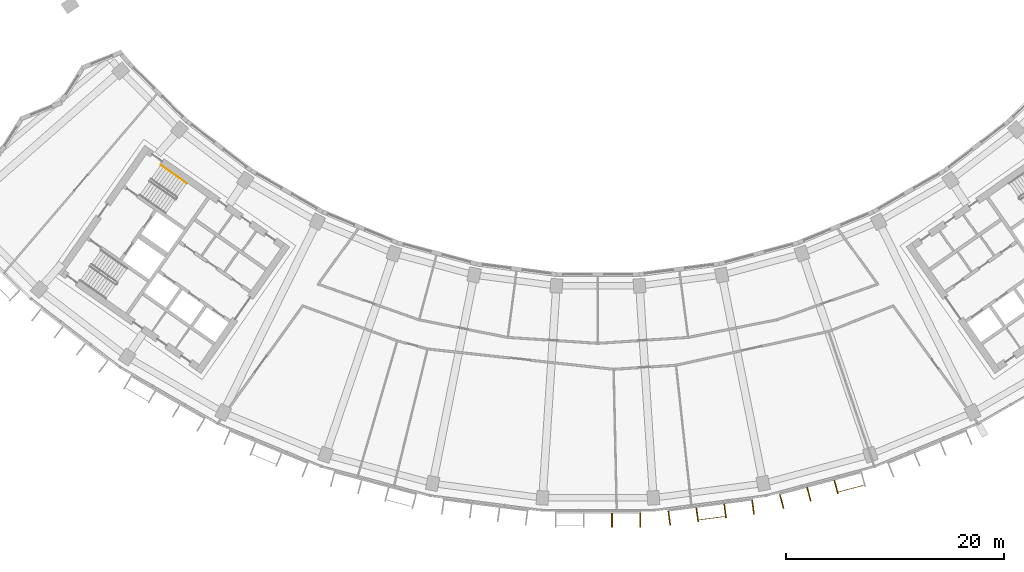
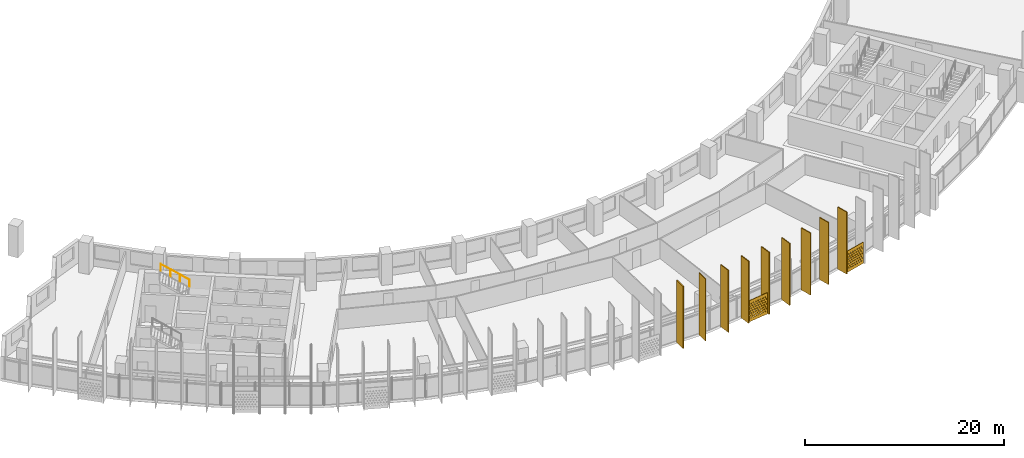
# One storey, part 24 of 26: 11 shading devices, 1 railing.
"""IFC4 building model written with IfcOpenShell, lengths in metres."""

from ifc_helpers import new_model, si_unit, direction, frame, origin, origin_2d, place, context, subcontext, project, spatial, polyline, rectangle, circle, outline, extrude, material, material_profile, profile_set, type_object, element, save


model = new_model("IFC4")

# Units and contexts
model_context = context("Model", 3, precision=1e-05, world=origin(), true_north=direction((0.0, 1.0)))
body_context = subcontext(model_context, "Body", "Model", "MODEL_VIEW")
ifc_project = project(units=[si_unit("LENGTHUNIT", "METRE"), si_unit("AREAUNIT", "SQUARE_METRE"), si_unit("VOLUMEUNIT", "CUBIC_METRE"), si_unit("PLANEANGLEUNIT", "RADIAN"), si_unit("MASSUNIT", "GRAM", prefix="KILO")], contexts=[model_context])

# Site, building, storey
site_placement = place(None, origin())
site = spatial("IfcSite", under=ifc_project, at=site_placement, CompositionType="ELEMENT")
building_placement = place(site_placement, origin())
building = spatial("IfcBuilding", under=site, at=building_placement, Name="Qamariyya Broadcast Tower", CompositionType="ELEMENT")
storey_placement = place(building_placement, frame((0.0, 0.0, 156.89990234375)))
storey = spatial("IfcBuildingStorey", under=building, at=storey_placement, Name="L36", CompositionType="ELEMENT", Elevation=156.89990234375)

# Shading devices
ifc_material_1 = material(Name="Perforated glazed terracotta", Category="masonry")
ifc_material_profile_1 = material_profile(ifc_material_1, outline(polyline([(-1.199951171875, -1.300048828125), (1.199951171875, -1.300048828125), (1.199951171875, 1.300048828125), (-1.199951171875, 1.300048828125), (-1.199951171875, -1.300048828125)]), holes=[polyline([(-0.81494140625, -0.86669921875), (-0.89990234375, -0.78173828125), (-0.985107421875, -0.86669921875), (-0.89990234375, -0.95166015625), (-0.81494140625, -0.86669921875)]), polyline([(-0.514892578125, -0.86669921875), (-0.60009765625, -0.78173828125), (-0.68505859375, -0.86669921875), (-0.60009765625, -0.95166015625), (-0.514892578125, -0.86669921875)]), polyline([(-0.215087890625, -0.86669921875), (-0.300048828125, -0.78173828125), (-0.385009765625, -0.86669921875), (-0.300048828125, -0.95166015625), (-0.215087890625, -0.86669921875)]), polyline([(0.0849609375, -0.86669921875), (0.0, -0.78173828125), (-0.0849609375, -0.86669921875), (0.0, -0.95166015625), (0.0849609375, -0.86669921875)]), polyline([(0.385009765625, -0.86669921875), (0.300048828125, -0.78173828125), (0.215087890625, -0.86669921875), (0.300048828125, -0.95166015625), (0.385009765625, -0.86669921875)]), polyline([(0.68505859375, -0.86669921875), (0.60009765625, -0.78173828125), (0.514892578125, -0.86669921875), (0.60009765625, -0.95166015625), (0.68505859375, -0.86669921875)]), polyline([(0.985107421875, -0.86669921875), (0.89990234375, -0.78173828125), (0.81494140625, -0.86669921875), (0.89990234375, -0.95166015625), (0.985107421875, -0.86669921875)]), polyline([(-0.965087890625, -0.577880859375), (-1.050048828125, -0.49267578125), (-1.135009765625, -0.577880859375), (-1.050048828125, -0.662841796875), (-0.965087890625, -0.577880859375)]), polyline([(-0.6650390625, -0.577880859375), (-0.75, -0.49267578125), (-0.8349609375, -0.577880859375), (-0.75, -0.662841796875), (-0.6650390625, -0.577880859375)]), polyline([(-0.364990234375, -0.577880859375), (-0.449951171875, -0.49267578125), (-0.534912109375, -0.577880859375), (-0.449951171875, -0.662841796875), (-0.364990234375, -0.577880859375)]), polyline([(-0.06494140625, -0.577880859375), (-0.14990234375, -0.49267578125), (-0.235107421875, -0.577880859375), (-0.14990234375, -0.662841796875), (-0.06494140625, -0.577880859375)]), polyline([(0.235107421875, -0.577880859375), (0.14990234375, -0.49267578125), (0.06494140625, -0.577880859375), (0.14990234375, -0.662841796875), (0.235107421875, -0.577880859375)]), polyline([(0.534912109375, -0.577880859375), (0.449951171875, -0.49267578125), (0.364990234375, -0.577880859375), (0.449951171875, -0.662841796875), (0.534912109375, -0.577880859375)]), polyline([(0.8349609375, -0.577880859375), (0.75, -0.49267578125), (0.6650390625, -0.577880859375), (0.75, -0.662841796875), (0.8349609375, -0.577880859375)]), polyline([(1.135009765625, -0.577880859375), (1.050048828125, -0.49267578125), (0.965087890625, -0.577880859375), (1.050048828125, -0.662841796875), (1.135009765625, -0.577880859375)]), polyline([(-0.81494140625, -0.288818359375), (-0.89990234375, -0.203857421875), (-0.985107421875, -0.288818359375), (-0.89990234375, -0.373779296875), (-0.81494140625, -0.288818359375)]), polyline([(-0.514892578125, -0.288818359375), (-0.60009765625, -0.203857421875), (-0.68505859375, -0.288818359375), (-0.60009765625, -0.373779296875), (-0.514892578125, -0.288818359375)]), polyline([(-0.215087890625, -0.288818359375), (-0.300048828125, -0.203857421875), (-0.385009765625, -0.288818359375), (-0.300048828125, -0.373779296875), (-0.215087890625, -0.288818359375)]), polyline([(0.0849609375, -0.288818359375), (0.0, -0.203857421875), (-0.0849609375, -0.288818359375), (0.0, -0.373779296875), (0.0849609375, -0.288818359375)]), polyline([(0.385009765625, -0.288818359375), (0.300048828125, -0.203857421875), (0.215087890625, -0.288818359375), (0.300048828125, -0.373779296875), (0.385009765625, -0.288818359375)]), polyline([(0.68505859375, -0.288818359375), (0.60009765625, -0.203857421875), (0.514892578125, -0.288818359375), (0.60009765625, -0.373779296875), (0.68505859375, -0.288818359375)]), polyline([(0.985107421875, -0.288818359375), (0.89990234375, -0.203857421875), (0.81494140625, -0.288818359375), (0.89990234375, -0.373779296875), (0.985107421875, -0.288818359375)]), polyline([(-0.965087890625, 0.0), (-1.050048828125, 0.0849609375), (-1.135009765625, 0.0), (-1.050048828125, -0.0849609375), (-0.965087890625, 0.0)]), polyline([(-0.6650390625, 0.0), (-0.75, 0.0849609375), (-0.8349609375, 0.0), (-0.75, -0.0849609375), (-0.6650390625, 0.0)]), polyline([(-0.364990234375, 0.0), (-0.449951171875, 0.0849609375), (-0.534912109375, 0.0), (-0.449951171875, -0.0849609375), (-0.364990234375, 0.0)]), polyline([(-0.06494140625, 0.0), (-0.14990234375, 0.0849609375), (-0.235107421875, 0.0), (-0.14990234375, -0.0849609375), (-0.06494140625, 0.0)]), polyline([(0.235107421875, 0.0), (0.14990234375, 0.0849609375), (0.06494140625, 0.0), (0.14990234375, -0.0849609375), (0.235107421875, 0.0)]), polyline([(0.534912109375, 0.0), (0.449951171875, 0.0849609375), (0.364990234375, 0.0), (0.449951171875, -0.0849609375), (0.534912109375, 0.0)]), polyline([(0.8349609375, 0.0), (0.75, 0.0849609375), (0.6650390625, 0.0), (0.75, -0.0849609375), (0.8349609375, 0.0)]), polyline([(1.135009765625, 0.0), (1.050048828125, 0.0849609375), (0.965087890625, 0.0), (1.050048828125, -0.0849609375), (1.135009765625, 0.0)]), polyline([(-0.81494140625, 0.288818359375), (-0.89990234375, 0.373779296875), (-0.985107421875, 0.288818359375), (-0.89990234375, 0.203857421875), (-0.81494140625, 0.288818359375)]), polyline([(-0.514892578125, 0.288818359375), (-0.60009765625, 0.373779296875), (-0.68505859375, 0.288818359375), (-0.60009765625, 0.203857421875), (-0.514892578125, 0.288818359375)]), polyline([(-0.215087890625, 0.288818359375), (-0.300048828125, 0.373779296875), (-0.385009765625, 0.288818359375), (-0.300048828125, 0.203857421875), (-0.215087890625, 0.288818359375)]), polyline([(0.0849609375, 0.288818359375), (0.0, 0.373779296875), (-0.0849609375, 0.288818359375), (0.0, 0.203857421875), (0.0849609375, 0.288818359375)]), polyline([(0.385009765625, 0.288818359375), (0.300048828125, 0.373779296875), (0.215087890625, 0.288818359375), (0.300048828125, 0.203857421875), (0.385009765625, 0.288818359375)]), polyline([(0.68505859375, 0.288818359375), (0.60009765625, 0.373779296875), (0.514892578125, 0.288818359375), (0.60009765625, 0.203857421875), (0.68505859375, 0.288818359375)]), polyline([(0.985107421875, 0.288818359375), (0.89990234375, 0.373779296875), (0.81494140625, 0.288818359375), (0.89990234375, 0.203857421875), (0.985107421875, 0.288818359375)]), polyline([(-0.965087890625, 0.577880859375), (-1.050048828125, 0.662841796875), (-1.135009765625, 0.577880859375), (-1.050048828125, 0.49267578125), (-0.965087890625, 0.577880859375)]), polyline([(-0.6650390625, 0.577880859375), (-0.75, 0.662841796875), (-0.8349609375, 0.577880859375), (-0.75, 0.49267578125), (-0.6650390625, 0.577880859375)]), polyline([(-0.364990234375, 0.577880859375), (-0.449951171875, 0.662841796875), (-0.534912109375, 0.577880859375), (-0.449951171875, 0.49267578125), (-0.364990234375, 0.577880859375)]), polyline([(-0.06494140625, 0.577880859375), (-0.14990234375, 0.662841796875), (-0.235107421875, 0.577880859375), (-0.14990234375, 0.49267578125), (-0.06494140625, 0.577880859375)]), polyline([(0.235107421875, 0.577880859375), (0.14990234375, 0.662841796875), (0.06494140625, 0.577880859375), (0.14990234375, 0.49267578125), (0.235107421875, 0.577880859375)]), polyline([(0.534912109375, 0.577880859375), (0.449951171875, 0.662841796875), (0.364990234375, 0.577880859375), (0.449951171875, 0.49267578125), (0.534912109375, 0.577880859375)]), polyline([(0.8349609375, 0.577880859375), (0.75, 0.662841796875), (0.6650390625, 0.577880859375), (0.75, 0.49267578125), (0.8349609375, 0.577880859375)]), polyline([(1.135009765625, 0.577880859375), (1.050048828125, 0.662841796875), (0.965087890625, 0.577880859375), (1.050048828125, 0.49267578125), (1.135009765625, 0.577880859375)]), polyline([(-0.81494140625, 0.86669921875), (-0.89990234375, 0.95166015625), (-0.985107421875, 0.86669921875), (-0.89990234375, 0.78173828125), (-0.81494140625, 0.86669921875)]), polyline([(-0.514892578125, 0.86669921875), (-0.60009765625, 0.95166015625), (-0.68505859375, 0.86669921875), (-0.60009765625, 0.78173828125), (-0.514892578125, 0.86669921875)]), polyline([(-0.215087890625, 0.86669921875), (-0.300048828125, 0.95166015625), (-0.385009765625, 0.86669921875), (-0.300048828125, 0.78173828125), (-0.215087890625, 0.86669921875)]), polyline([(0.0849609375, 0.86669921875), (0.0, 0.95166015625), (-0.0849609375, 0.86669921875), (0.0, 0.78173828125), (0.0849609375, 0.86669921875)]), polyline([(0.385009765625, 0.86669921875), (0.300048828125, 0.95166015625), (0.215087890625, 0.86669921875), (0.300048828125, 0.78173828125), (0.385009765625, 0.86669921875)]), polyline([(0.68505859375, 0.86669921875), (0.60009765625, 0.95166015625), (0.514892578125, 0.86669921875), (0.60009765625, 0.78173828125), (0.68505859375, 0.86669921875)]), polyline([(0.985107421875, 0.86669921875), (0.89990234375, 0.95166015625), (0.81494140625, 0.86669921875), (0.89990234375, 0.78173828125), (0.985107421875, 0.86669921875)])]))
ifc_profile_set_1 = profile_set([ifc_material_profile_1], Name="Perforated glazed terracotta")
shading_device_type_1 = type_object("IfcShadingDeviceType", Name="Perforated terracotta screen 2400 x 2600", PredefinedType="USERDEFINED", material=ifc_profile_set_1)
shading_device_1_placement = place(storey_placement, frame((10.413818359375, -79.421142578125, 1.35009765625), z_axis=(0.13056005306, -0.991440402921, 0.0), x_axis=(0.991440402921, 0.13056005306, 0.0)))
element("IfcShadingDevice", 1, at=shading_device_1_placement, inside=storey, type_object=shading_device_type_1, Name="e-scr-L36-08-1", ObjectType="SCREEN", PredefinedType="USERDEFINED", context=body_context, shape_type="SweptSolid", body=[
    extrude(outline(polyline([(-1.199951171875, -1.300048828125), (1.199951171875, -1.300048828125), (1.199951171875, 1.300048828125), (-1.199951171875, 1.300048828125), (-1.199951171875, -1.300048828125)]), holes=[polyline([(-0.81494140625, -0.86669921875), (-0.89990234375, -0.78173828125), (-0.985107421875, -0.86669921875), (-0.89990234375, -0.95166015625), (-0.81494140625, -0.86669921875)]), polyline([(-0.514892578125, -0.86669921875), (-0.60009765625, -0.78173828125), (-0.68505859375, -0.86669921875), (-0.60009765625, -0.95166015625), (-0.514892578125, -0.86669921875)]), polyline([(-0.215087890625, -0.86669921875), (-0.300048828125, -0.78173828125), (-0.385009765625, -0.86669921875), (-0.300048828125, -0.95166015625), (-0.215087890625, -0.86669921875)]), polyline([(0.0849609375, -0.86669921875), (0.0, -0.78173828125), (-0.0849609375, -0.86669921875), (0.0, -0.95166015625), (0.0849609375, -0.86669921875)]), polyline([(0.385009765625, -0.86669921875), (0.300048828125, -0.78173828125), (0.215087890625, -0.86669921875), (0.300048828125, -0.95166015625), (0.385009765625, -0.86669921875)]), polyline([(0.68505859375, -0.86669921875), (0.60009765625, -0.78173828125), (0.514892578125, -0.86669921875), (0.60009765625, -0.95166015625), (0.68505859375, -0.86669921875)]), polyline([(0.985107421875, -0.86669921875), (0.89990234375, -0.78173828125), (0.81494140625, -0.86669921875), (0.89990234375, -0.95166015625), (0.985107421875, -0.86669921875)]), polyline([(-0.965087890625, -0.577880859375), (-1.050048828125, -0.49267578125), (-1.135009765625, -0.577880859375), (-1.050048828125, -0.662841796875), (-0.965087890625, -0.577880859375)]), polyline([(-0.6650390625, -0.577880859375), (-0.75, -0.49267578125), (-0.8349609375, -0.577880859375), (-0.75, -0.662841796875), (-0.6650390625, -0.577880859375)]), polyline([(-0.364990234375, -0.577880859375), (-0.449951171875, -0.49267578125), (-0.534912109375, -0.577880859375), (-0.449951171875, -0.662841796875), (-0.364990234375, -0.577880859375)]), polyline([(-0.06494140625, -0.577880859375), (-0.14990234375, -0.49267578125), (-0.235107421875, -0.577880859375), (-0.14990234375, -0.662841796875), (-0.06494140625, -0.577880859375)]), polyline([(0.235107421875, -0.577880859375), (0.14990234375, -0.49267578125), (0.06494140625, -0.577880859375), (0.14990234375, -0.662841796875), (0.235107421875, -0.577880859375)]), polyline([(0.534912109375, -0.577880859375), (0.449951171875, -0.49267578125), (0.364990234375, -0.577880859375), (0.449951171875, -0.662841796875), (0.534912109375, -0.577880859375)]), polyline([(0.8349609375, -0.577880859375), (0.75, -0.49267578125), (0.6650390625, -0.577880859375), (0.75, -0.662841796875), (0.8349609375, -0.577880859375)]), polyline([(1.135009765625, -0.577880859375), (1.050048828125, -0.49267578125), (0.965087890625, -0.577880859375), (1.050048828125, -0.662841796875), (1.135009765625, -0.577880859375)]), polyline([(-0.81494140625, -0.288818359375), (-0.89990234375, -0.203857421875), (-0.985107421875, -0.288818359375), (-0.89990234375, -0.373779296875), (-0.81494140625, -0.288818359375)]), polyline([(-0.514892578125, -0.288818359375), (-0.60009765625, -0.203857421875), (-0.68505859375, -0.288818359375), (-0.60009765625, -0.373779296875), (-0.514892578125, -0.288818359375)]), polyline([(-0.215087890625, -0.288818359375), (-0.300048828125, -0.203857421875), (-0.385009765625, -0.288818359375), (-0.300048828125, -0.373779296875), (-0.215087890625, -0.288818359375)]), polyline([(0.0849609375, -0.288818359375), (0.0, -0.203857421875), (-0.0849609375, -0.288818359375), (0.0, -0.373779296875), (0.0849609375, -0.288818359375)]), polyline([(0.385009765625, -0.288818359375), (0.300048828125, -0.203857421875), (0.215087890625, -0.288818359375), (0.300048828125, -0.373779296875), (0.385009765625, -0.288818359375)]), polyline([(0.68505859375, -0.288818359375), (0.60009765625, -0.203857421875), (0.514892578125, -0.288818359375), (0.60009765625, -0.373779296875), (0.68505859375, -0.288818359375)]), polyline([(0.985107421875, -0.288818359375), (0.89990234375, -0.203857421875), (0.81494140625, -0.288818359375), (0.89990234375, -0.373779296875), (0.985107421875, -0.288818359375)]), polyline([(-0.965087890625, 0.0), (-1.050048828125, 0.0849609375), (-1.135009765625, 0.0), (-1.050048828125, -0.0849609375), (-0.965087890625, 0.0)]), polyline([(-0.6650390625, 0.0), (-0.75, 0.0849609375), (-0.8349609375, 0.0), (-0.75, -0.0849609375), (-0.6650390625, 0.0)]), polyline([(-0.364990234375, 0.0), (-0.449951171875, 0.0849609375), (-0.534912109375, 0.0), (-0.449951171875, -0.0849609375), (-0.364990234375, 0.0)]), polyline([(-0.06494140625, 0.0), (-0.14990234375, 0.0849609375), (-0.235107421875, 0.0), (-0.14990234375, -0.0849609375), (-0.06494140625, 0.0)]), polyline([(0.235107421875, 0.0), (0.14990234375, 0.0849609375), (0.06494140625, 0.0), (0.14990234375, -0.0849609375), (0.235107421875, 0.0)]), polyline([(0.534912109375, 0.0), (0.449951171875, 0.0849609375), (0.364990234375, 0.0), (0.449951171875, -0.0849609375), (0.534912109375, 0.0)]), polyline([(0.8349609375, 0.0), (0.75, 0.0849609375), (0.6650390625, 0.0), (0.75, -0.0849609375), (0.8349609375, 0.0)]), polyline([(1.135009765625, 0.0), (1.050048828125, 0.0849609375), (0.965087890625, 0.0), (1.050048828125, -0.0849609375), (1.135009765625, 0.0)]), polyline([(-0.81494140625, 0.288818359375), (-0.89990234375, 0.373779296875), (-0.985107421875, 0.288818359375), (-0.89990234375, 0.203857421875), (-0.81494140625, 0.288818359375)]), polyline([(-0.514892578125, 0.288818359375), (-0.60009765625, 0.373779296875), (-0.68505859375, 0.288818359375), (-0.60009765625, 0.203857421875), (-0.514892578125, 0.288818359375)]), polyline([(-0.215087890625, 0.288818359375), (-0.300048828125, 0.373779296875), (-0.385009765625, 0.288818359375), (-0.300048828125, 0.203857421875), (-0.215087890625, 0.288818359375)]), polyline([(0.0849609375, 0.288818359375), (0.0, 0.373779296875), (-0.0849609375, 0.288818359375), (0.0, 0.203857421875), (0.0849609375, 0.288818359375)]), polyline([(0.385009765625, 0.288818359375), (0.300048828125, 0.373779296875), (0.215087890625, 0.288818359375), (0.300048828125, 0.203857421875), (0.385009765625, 0.288818359375)]), polyline([(0.68505859375, 0.288818359375), (0.60009765625, 0.373779296875), (0.514892578125, 0.288818359375), (0.60009765625, 0.203857421875), (0.68505859375, 0.288818359375)]), polyline([(0.985107421875, 0.288818359375), (0.89990234375, 0.373779296875), (0.81494140625, 0.288818359375), (0.89990234375, 0.203857421875), (0.985107421875, 0.288818359375)]), polyline([(-0.965087890625, 0.577880859375), (-1.050048828125, 0.662841796875), (-1.135009765625, 0.577880859375), (-1.050048828125, 0.49267578125), (-0.965087890625, 0.577880859375)]), polyline([(-0.6650390625, 0.577880859375), (-0.75, 0.662841796875), (-0.8349609375, 0.577880859375), (-0.75, 0.49267578125), (-0.6650390625, 0.577880859375)]), polyline([(-0.364990234375, 0.577880859375), (-0.449951171875, 0.662841796875), (-0.534912109375, 0.577880859375), (-0.449951171875, 0.49267578125), (-0.364990234375, 0.577880859375)]), polyline([(-0.06494140625, 0.577880859375), (-0.14990234375, 0.662841796875), (-0.235107421875, 0.577880859375), (-0.14990234375, 0.49267578125), (-0.06494140625, 0.577880859375)]), polyline([(0.235107421875, 0.577880859375), (0.14990234375, 0.662841796875), (0.06494140625, 0.577880859375), (0.14990234375, 0.49267578125), (0.235107421875, 0.577880859375)]), polyline([(0.534912109375, 0.577880859375), (0.449951171875, 0.662841796875), (0.364990234375, 0.577880859375), (0.449951171875, 0.49267578125), (0.534912109375, 0.577880859375)]), polyline([(0.8349609375, 0.577880859375), (0.75, 0.662841796875), (0.6650390625, 0.577880859375), (0.75, 0.49267578125), (0.8349609375, 0.577880859375)]), polyline([(1.135009765625, 0.577880859375), (1.050048828125, 0.662841796875), (0.965087890625, 0.577880859375), (1.050048828125, 0.49267578125), (1.135009765625, 0.577880859375)]), polyline([(-0.81494140625, 0.86669921875), (-0.89990234375, 0.95166015625), (-0.985107421875, 0.86669921875), (-0.89990234375, 0.78173828125), (-0.81494140625, 0.86669921875)]), polyline([(-0.514892578125, 0.86669921875), (-0.60009765625, 0.95166015625), (-0.68505859375, 0.86669921875), (-0.60009765625, 0.78173828125), (-0.514892578125, 0.86669921875)]), polyline([(-0.215087890625, 0.86669921875), (-0.300048828125, 0.95166015625), (-0.385009765625, 0.86669921875), (-0.300048828125, 0.78173828125), (-0.215087890625, 0.86669921875)]), polyline([(0.0849609375, 0.86669921875), (0.0, 0.95166015625), (-0.0849609375, 0.86669921875), (0.0, 0.78173828125), (0.0849609375, 0.86669921875)]), polyline([(0.385009765625, 0.86669921875), (0.300048828125, 0.95166015625), (0.215087890625, 0.86669921875), (0.300048828125, 0.78173828125), (0.385009765625, 0.86669921875)]), polyline([(0.68505859375, 0.86669921875), (0.60009765625, 0.95166015625), (0.514892578125, 0.86669921875), (0.60009765625, 0.78173828125), (0.68505859375, 0.86669921875)]), polyline([(0.985107421875, 0.86669921875), (0.89990234375, 0.95166015625), (0.81494140625, 0.86669921875), (0.89990234375, 0.78173828125), (0.985107421875, 0.86669921875)])]), origin(), (0.0, 0.0, 1.0), 0.059814453125),
])
shading_device_2_placement = place(storey_placement, frame((23.186767578125, -76.713623046875, 1.35009765625), z_axis=(0.256901156343, -0.966437683387, 0.0), x_axis=(0.966437683387, 0.256901156343, 0.0)))
element("IfcShadingDevice", 2, at=shading_device_2_placement, inside=storey, type_object=shading_device_type_1, Name="e-scr-L36-09-2", ObjectType="SCREEN", PredefinedType="USERDEFINED", context=body_context, shape_type="SweptSolid", body=[
    extrude(outline(polyline([(-1.199951171875, -1.300048828125), (1.199951171875, -1.300048828125), (1.199951171875, 1.300048828125), (-1.199951171875, 1.300048828125), (-1.199951171875, -1.300048828125)]), holes=[polyline([(-0.81494140625, -0.86669921875), (-0.89990234375, -0.78173828125), (-0.985107421875, -0.86669921875), (-0.89990234375, -0.95166015625), (-0.81494140625, -0.86669921875)]), polyline([(-0.514892578125, -0.86669921875), (-0.60009765625, -0.78173828125), (-0.68505859375, -0.86669921875), (-0.60009765625, -0.95166015625), (-0.514892578125, -0.86669921875)]), polyline([(-0.215087890625, -0.86669921875), (-0.300048828125, -0.78173828125), (-0.385009765625, -0.86669921875), (-0.300048828125, -0.95166015625), (-0.215087890625, -0.86669921875)]), polyline([(0.0849609375, -0.86669921875), (0.0, -0.78173828125), (-0.0849609375, -0.86669921875), (0.0, -0.95166015625), (0.0849609375, -0.86669921875)]), polyline([(0.385009765625, -0.86669921875), (0.300048828125, -0.78173828125), (0.215087890625, -0.86669921875), (0.300048828125, -0.95166015625), (0.385009765625, -0.86669921875)]), polyline([(0.68505859375, -0.86669921875), (0.60009765625, -0.78173828125), (0.514892578125, -0.86669921875), (0.60009765625, -0.95166015625), (0.68505859375, -0.86669921875)]), polyline([(0.985107421875, -0.86669921875), (0.89990234375, -0.78173828125), (0.81494140625, -0.86669921875), (0.89990234375, -0.95166015625), (0.985107421875, -0.86669921875)]), polyline([(-0.965087890625, -0.577880859375), (-1.050048828125, -0.49267578125), (-1.135009765625, -0.577880859375), (-1.050048828125, -0.662841796875), (-0.965087890625, -0.577880859375)]), polyline([(-0.6650390625, -0.577880859375), (-0.75, -0.49267578125), (-0.8349609375, -0.577880859375), (-0.75, -0.662841796875), (-0.6650390625, -0.577880859375)]), polyline([(-0.364990234375, -0.577880859375), (-0.449951171875, -0.49267578125), (-0.534912109375, -0.577880859375), (-0.449951171875, -0.662841796875), (-0.364990234375, -0.577880859375)]), polyline([(-0.06494140625, -0.577880859375), (-0.14990234375, -0.49267578125), (-0.235107421875, -0.577880859375), (-0.14990234375, -0.662841796875), (-0.06494140625, -0.577880859375)]), polyline([(0.235107421875, -0.577880859375), (0.14990234375, -0.49267578125), (0.06494140625, -0.577880859375), (0.14990234375, -0.662841796875), (0.235107421875, -0.577880859375)]), polyline([(0.534912109375, -0.577880859375), (0.449951171875, -0.49267578125), (0.364990234375, -0.577880859375), (0.449951171875, -0.662841796875), (0.534912109375, -0.577880859375)]), polyline([(0.8349609375, -0.577880859375), (0.75, -0.49267578125), (0.6650390625, -0.577880859375), (0.75, -0.662841796875), (0.8349609375, -0.577880859375)]), polyline([(1.135009765625, -0.577880859375), (1.050048828125, -0.49267578125), (0.965087890625, -0.577880859375), (1.050048828125, -0.662841796875), (1.135009765625, -0.577880859375)]), polyline([(-0.81494140625, -0.288818359375), (-0.89990234375, -0.203857421875), (-0.985107421875, -0.288818359375), (-0.89990234375, -0.373779296875), (-0.81494140625, -0.288818359375)]), polyline([(-0.514892578125, -0.288818359375), (-0.60009765625, -0.203857421875), (-0.68505859375, -0.288818359375), (-0.60009765625, -0.373779296875), (-0.514892578125, -0.288818359375)]), polyline([(-0.215087890625, -0.288818359375), (-0.300048828125, -0.203857421875), (-0.385009765625, -0.288818359375), (-0.300048828125, -0.373779296875), (-0.215087890625, -0.288818359375)]), polyline([(0.0849609375, -0.288818359375), (0.0, -0.203857421875), (-0.0849609375, -0.288818359375), (0.0, -0.373779296875), (0.0849609375, -0.288818359375)]), polyline([(0.385009765625, -0.288818359375), (0.300048828125, -0.203857421875), (0.215087890625, -0.288818359375), (0.300048828125, -0.373779296875), (0.385009765625, -0.288818359375)]), polyline([(0.68505859375, -0.288818359375), (0.60009765625, -0.203857421875), (0.514892578125, -0.288818359375), (0.60009765625, -0.373779296875), (0.68505859375, -0.288818359375)]), polyline([(0.985107421875, -0.288818359375), (0.89990234375, -0.203857421875), (0.81494140625, -0.288818359375), (0.89990234375, -0.373779296875), (0.985107421875, -0.288818359375)]), polyline([(-0.965087890625, 0.0), (-1.050048828125, 0.0849609375), (-1.135009765625, 0.0), (-1.050048828125, -0.0849609375), (-0.965087890625, 0.0)]), polyline([(-0.6650390625, 0.0), (-0.75, 0.0849609375), (-0.8349609375, 0.0), (-0.75, -0.0849609375), (-0.6650390625, 0.0)]), polyline([(-0.364990234375, 0.0), (-0.449951171875, 0.0849609375), (-0.534912109375, 0.0), (-0.449951171875, -0.0849609375), (-0.364990234375, 0.0)]), polyline([(-0.06494140625, 0.0), (-0.14990234375, 0.0849609375), (-0.235107421875, 0.0), (-0.14990234375, -0.0849609375), (-0.06494140625, 0.0)]), polyline([(0.235107421875, 0.0), (0.14990234375, 0.0849609375), (0.06494140625, 0.0), (0.14990234375, -0.0849609375), (0.235107421875, 0.0)]), polyline([(0.534912109375, 0.0), (0.449951171875, 0.0849609375), (0.364990234375, 0.0), (0.449951171875, -0.0849609375), (0.534912109375, 0.0)]), polyline([(0.8349609375, 0.0), (0.75, 0.0849609375), (0.6650390625, 0.0), (0.75, -0.0849609375), (0.8349609375, 0.0)]), polyline([(1.135009765625, 0.0), (1.050048828125, 0.0849609375), (0.965087890625, 0.0), (1.050048828125, -0.0849609375), (1.135009765625, 0.0)]), polyline([(-0.81494140625, 0.288818359375), (-0.89990234375, 0.373779296875), (-0.985107421875, 0.288818359375), (-0.89990234375, 0.203857421875), (-0.81494140625, 0.288818359375)]), polyline([(-0.514892578125, 0.288818359375), (-0.60009765625, 0.373779296875), (-0.68505859375, 0.288818359375), (-0.60009765625, 0.203857421875), (-0.514892578125, 0.288818359375)]), polyline([(-0.215087890625, 0.288818359375), (-0.300048828125, 0.373779296875), (-0.385009765625, 0.288818359375), (-0.300048828125, 0.203857421875), (-0.215087890625, 0.288818359375)]), polyline([(0.0849609375, 0.288818359375), (0.0, 0.373779296875), (-0.0849609375, 0.288818359375), (0.0, 0.203857421875), (0.0849609375, 0.288818359375)]), polyline([(0.385009765625, 0.288818359375), (0.300048828125, 0.373779296875), (0.215087890625, 0.288818359375), (0.300048828125, 0.203857421875), (0.385009765625, 0.288818359375)]), polyline([(0.68505859375, 0.288818359375), (0.60009765625, 0.373779296875), (0.514892578125, 0.288818359375), (0.60009765625, 0.203857421875), (0.68505859375, 0.288818359375)]), polyline([(0.985107421875, 0.288818359375), (0.89990234375, 0.373779296875), (0.81494140625, 0.288818359375), (0.89990234375, 0.203857421875), (0.985107421875, 0.288818359375)]), polyline([(-0.965087890625, 0.577880859375), (-1.050048828125, 0.662841796875), (-1.135009765625, 0.577880859375), (-1.050048828125, 0.49267578125), (-0.965087890625, 0.577880859375)]), polyline([(-0.6650390625, 0.577880859375), (-0.75, 0.662841796875), (-0.8349609375, 0.577880859375), (-0.75, 0.49267578125), (-0.6650390625, 0.577880859375)]), polyline([(-0.364990234375, 0.577880859375), (-0.449951171875, 0.662841796875), (-0.534912109375, 0.577880859375), (-0.449951171875, 0.49267578125), (-0.364990234375, 0.577880859375)]), polyline([(-0.06494140625, 0.577880859375), (-0.14990234375, 0.662841796875), (-0.235107421875, 0.577880859375), (-0.14990234375, 0.49267578125), (-0.06494140625, 0.577880859375)]), polyline([(0.235107421875, 0.577880859375), (0.14990234375, 0.662841796875), (0.06494140625, 0.577880859375), (0.14990234375, 0.49267578125), (0.235107421875, 0.577880859375)]), polyline([(0.534912109375, 0.577880859375), (0.449951171875, 0.662841796875), (0.364990234375, 0.577880859375), (0.449951171875, 0.49267578125), (0.534912109375, 0.577880859375)]), polyline([(0.8349609375, 0.577880859375), (0.75, 0.662841796875), (0.6650390625, 0.577880859375), (0.75, 0.49267578125), (0.8349609375, 0.577880859375)]), polyline([(1.135009765625, 0.577880859375), (1.050048828125, 0.662841796875), (0.965087890625, 0.577880859375), (1.050048828125, 0.49267578125), (1.135009765625, 0.577880859375)]), polyline([(-0.81494140625, 0.86669921875), (-0.89990234375, 0.95166015625), (-0.985107421875, 0.86669921875), (-0.89990234375, 0.78173828125), (-0.81494140625, 0.86669921875)]), polyline([(-0.514892578125, 0.86669921875), (-0.60009765625, 0.95166015625), (-0.68505859375, 0.86669921875), (-0.60009765625, 0.78173828125), (-0.514892578125, 0.86669921875)]), polyline([(-0.215087890625, 0.86669921875), (-0.300048828125, 0.95166015625), (-0.385009765625, 0.86669921875), (-0.300048828125, 0.78173828125), (-0.215087890625, 0.86669921875)]), polyline([(0.0849609375, 0.86669921875), (0.0, 0.95166015625), (-0.0849609375, 0.86669921875), (0.0, 0.78173828125), (0.0849609375, 0.86669921875)]), polyline([(0.385009765625, 0.86669921875), (0.300048828125, 0.95166015625), (0.215087890625, 0.86669921875), (0.300048828125, 0.78173828125), (0.385009765625, 0.86669921875)]), polyline([(0.68505859375, 0.86669921875), (0.60009765625, 0.95166015625), (0.514892578125, 0.86669921875), (0.60009765625, 0.78173828125), (0.68505859375, 0.86669921875)]), polyline([(0.985107421875, 0.86669921875), (0.89990234375, 0.95166015625), (0.81494140625, 0.86669921875), (0.89990234375, 0.78173828125), (0.985107421875, 0.86669921875)])]), origin(), (0.0, 0.0, 1.0), 0.059814453125),
])

# Railing
ifc_material_2 = material(Name="Stainless steel", Category="steel")
railing_type = type_object("IfcRailingType", Name="Stair handrail", PredefinedType="HANDRAIL", material=ifc_material_2)
railing_placement = place(storey_placement, frame((-37.73876953125, -48.7138671875, 2.07275390625)))
element("IfcRailing", 3, at=railing_placement, inside=storey, type_object=railing_type, Name="L36 ST-W2 stair handrail 2", PredefinedType="HANDRAIL", context=body_context, shape_type="SweptSolid", body=[
    extrude(circle(Radius=0.02392578125, at=origin_2d()), frame((0.0, 0.0, 0.8759765625), z_axis=(-0.703745009021, 0.492838488332, 0.511715923826), x_axis=(-0.573631830683, -0.819113253969, 0.0)), (0.0, 0.0, 1.0), 3.37548828125),
    extrude(circle(Radius=0.02099609375, at=origin_2d()), origin(), (0.0, 0.0, 1.0), 0.851806640625),
    extrude(circle(Radius=0.02099609375, at=origin_2d()), frame((-0.791748046875, 0.554443359375, 0.57568359375)), (0.0, 0.0, 1.0), 0.851806640625),
    extrude(circle(Radius=0.02099609375, at=origin_2d()), frame((-1.583740234375, 1.109130859375, 1.151611328125)), (0.0, 0.0, 1.0), 0.851806640625),
    extrude(circle(Radius=0.02099609375, at=origin_2d()), frame((-2.37548828125, 1.66357421875, 1.727294921875)), (0.0, 0.0, 1.0), 0.851806640625),
])

# Shading devices
ifc_material_3 = material(Name="Glazed terracotta", Category="masonry")
ifc_material_profile_2 = material_profile(ifc_material_3, rectangle(XDim=1.300048828125, YDim=0.10009765625, at=origin_2d()))
ifc_profile_set_2 = profile_set([ifc_material_profile_2], Name="Glazed terracotta")
shading_device_type_2 = type_object("IfcShadingDeviceType", Name="Terracotta fin 100 x 1300", PredefinedType="USERDEFINED", material=ifc_profile_set_2)
for number, where, z_axis, x_axis, name in (
    (4, (1.291748046875, -79.630859375, 0.0), (0.0, 0.0, 1.0), (0.0, -1.0, 0.0), "e-fin-L36-07-2"),
    (5, (3.875244140625, -79.630859375, 0.0), (0.0, 0.0, 1.0), (0.0, -1.0, 0.0), "e-fin-L36-07-3"),
    (6, (6.552001953125, -79.455322265625, 0.0), (0.0, 0.0, 1.0), (0.13052619222, -0.991444861374, 0.0), "e-fin-L36-08-0"),
    (7, (9.11328125, -79.1181640625, 0.0), (0.0, 0.0, 1.0), (0.13052619222, -0.991444861374, 0.0), "e-fin-L36-08-1"),
    (8, (11.674560546875, -78.781005859375, 0.0), (0.0, 0.0, 1.0), (0.13052619222, -0.991444861374, 0.0), "e-fin-L36-08-2"),
    (9, (14.23583984375, -78.44384765625, 0.0), (0.0, 0.0, 1.0), (0.13052619222, -0.991444861374, 0.0), "e-fin-L36-08-3"),
    (10, (16.866943359375, -77.92041015625, 0.0), (0.0, 0.0, 1.0), (0.258819045103, -0.965925826289, 0.0), "e-fin-L36-09-0"),
    (11, (19.3623046875, -77.251708984375, 0.0), (0.0, 0.0, 1.0), (0.258819045103, -0.965925826289, 0.0), "e-fin-L36-09-1"),
    (12, (21.857666015625, -76.583251953125, 0.0), (0.0, 0.0, 1.0), (0.258819045103, -0.965925826289, 0.0), "e-fin-L36-09-2"),
):
    element("IfcShadingDevice", number, at=place(storey_placement, frame(where, z_axis=z_axis, x_axis=x_axis)), inside=storey, type_object=shading_device_type_2, Name=name, ObjectType="FIN", PredefinedType="USERDEFINED", context=body_context, shape_type="SweptSolid", body=[
        extrude(rectangle(XDim=1.300048828125, YDim=0.10009765625, at=origin_2d()), origin(), (0.0, 0.0, 1.0), 7.60009765625),
    ])

save(model, "model.ifc")
